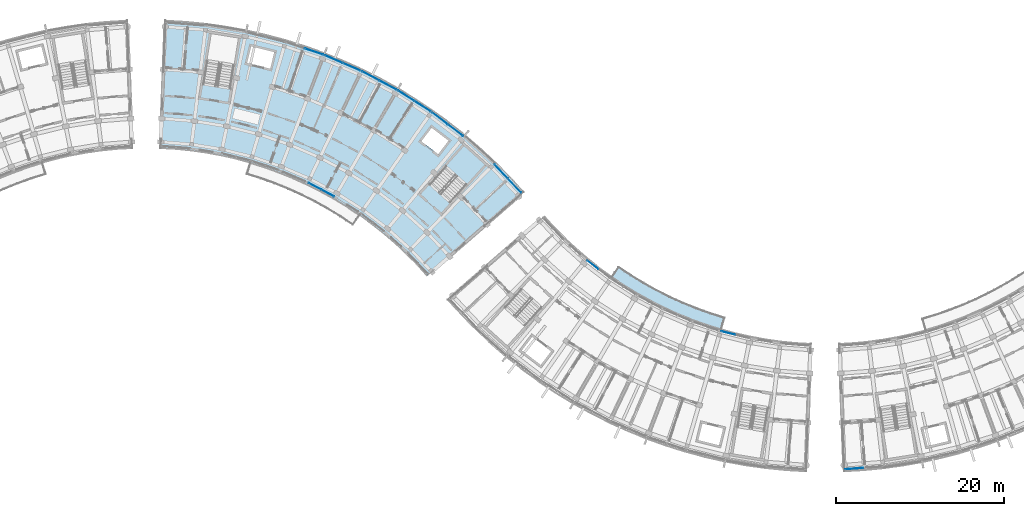
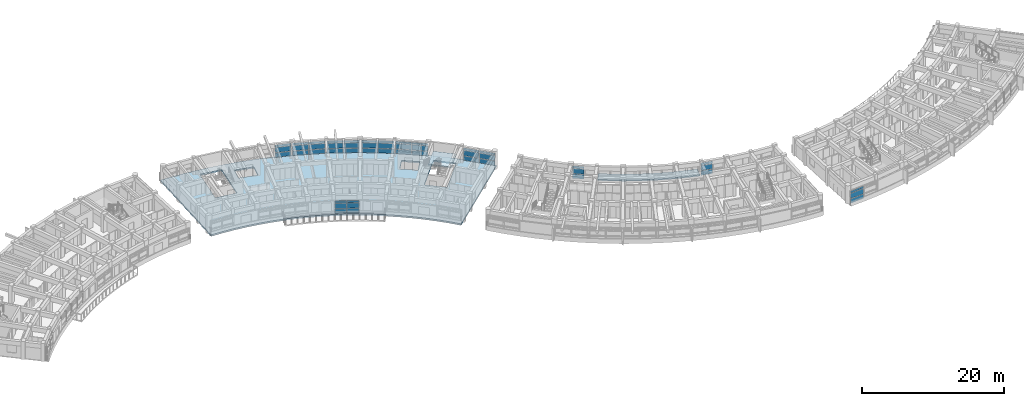
# One storey, part 24 of 56: 48 plates, 3 slabs, 11 elements without a shape of their own.
"""IFC4 building model written with IfcOpenShell, lengths in metres."""

import ifcopenshell
import ifcopenshell.guid

model = None  # the IFC model being written
_history = None  # IfcOwnerHistory: only IFC2X3 demands one
_inside = {}  # id of a spatial element -> (the spatial element, [elements in it])
_under = {}  # id of a project, library or spatial element -> (it, [spatial elements below it])
_declared = {}  # id of a project -> (the project, [libraries it declares])
_typed = {}  # id of a type object -> (the type object, [elements of that type])
_made_of = {}  # id of a material, layer set ... -> (it, [elements and type objects made of it])


def new_model(schema):
    """Start an empty IFC model of exactly this schema.

    Asked for "IFC4X3", IfcOpenShell would pick the latest addendum, in which some entities
    have other attributes; the version numbers below select the first issue.
    IFC2X3 requires an IfcOwnerHistory on every rooted entity: one is made here for all.
    """
    global model, _history
    if schema == "IFC4X3":
        model = ifcopenshell.file(schema_version=(4, 3, 0, 0))
    else:
        model = ifcopenshell.file(schema=schema)
    _inside.clear()
    _under.clear()
    _declared.clear()
    _typed.clear()
    _made_of.clear()
    _history = None
    if model.schema == "IFC2X3":
        org = make("IfcOrganization", Name="unknown")
        user = make(
            "IfcPersonAndOrganization",
            ThePerson=make("IfcPerson", FamilyName="unknown"),
            TheOrganization=org,
        )
        app = make(
            "IfcApplication",
            ApplicationDeveloper=org,
            Version="unknown",
            ApplicationFullName="unknown",
            ApplicationIdentifier="unknown",
        )
        _history = make(
            "IfcOwnerHistory",
            OwningUser=user,
            OwningApplication=app,
            ChangeAction="ADDED",
            CreationDate=0,
        )
    return model


def make(cls, **values):
    """One entity of the class cls with the attributes given. An attribute that is None is left unset."""
    return model.create_entity(
        cls, **{name: value for name, value in values.items() if value is not None}
    )


def rooted(cls, **values):
    """An entity with a GlobalId (a new one), such as an element, a storey or a relation."""
    return make(cls, GlobalId=ifcopenshell.guid.new(), OwnerHistory=_history, **values)


def si_unit(unit_type, name, prefix=None):
    """IfcSIUnit, for example si_unit("LENGTHUNIT", "METRE", prefix="MILLI")."""
    return make("IfcSIUnit", UnitType=unit_type, Prefix=prefix, Name=name)


def assignment(units):
    """IfcUnitAssignment: the units of a project."""
    return None if units is None else make("IfcUnitAssignment", Units=units)


def point(xyz):
    """IfcCartesianPoint."""
    return None if xyz is None else make("IfcCartesianPoint", Coordinates=xyz)


def direction(xyz):
    """IfcDirection."""
    return None if xyz is None else make("IfcDirection", DirectionRatios=xyz)


def frame(location, z_axis=None, x_axis=None):
    """IfcAxis2Placement3D, a coordinate frame: its origin and axes. An axis left out is left unset."""
    return make(
        "IfcAxis2Placement3D",
        Location=point(location),
        Axis=direction(z_axis),
        RefDirection=direction(x_axis),
    )


def frame_2d(location, x_axis=None):
    """IfcAxis2Placement2D, a coordinate frame in the plane: its origin and x axis."""
    return make(
        "IfcAxis2Placement2D", Location=point(location), RefDirection=direction(x_axis)
    )


def origin():
    """The frame at (0, 0, 0) with its axes left unset."""
    return frame((0.0, 0.0, 0.0))


def origin_2d():
    """The frame at (0, 0) in the plane with its x axis left unset."""
    return frame_2d((0.0, 0.0))


def place(relative_to, where):
    """IfcLocalPlacement: puts the frame where relative to a parent placement (None: the world)."""
    return make(
        "IfcLocalPlacement", PlacementRelTo=relative_to, RelativePlacement=where
    )


def context(
    kind, dimensions, precision=None, world=None, true_north=None, identifier=None
):
    """IfcGeometricRepresentationContext, for example the 3D "Model" context."""
    return make(
        "IfcGeometricRepresentationContext",
        ContextIdentifier=identifier,
        ContextType=kind,
        CoordinateSpaceDimension=dimensions,
        Precision=precision,
        WorldCoordinateSystem=world,
        TrueNorth=true_north,
    )


def subcontext(parent, identifier, kind, view, scale=None):
    """IfcGeometricRepresentationSubContext, for example "Body" below "Model"."""
    return make(
        "IfcGeometricRepresentationSubContext",
        ContextIdentifier=identifier,
        ContextType=kind,
        ParentContext=parent,
        TargetScale=scale,
        TargetView=view,
    )


def project(units=None, contexts=None):
    """IfcProject with its units and contexts."""
    return rooted(
        "IfcProject",
        Name="project",
        RepresentationContexts=contexts,
        UnitsInContext=assignment(units),
    )


def spatial(cls, under=None, at=None, **own):
    """A site, building, storey or space (cls), placed at a placement, below another one or the project."""
    s = rooted(cls, ObjectPlacement=at, **own)
    if under is not None:
        _under.setdefault(under.id(), (under, []))[1].append(s)
    return s


def polyline(points):
    """IfcPolyline through the points."""
    return make("IfcPolyline", Points=[point(p) for p in points])


def profile(cls, at=None, kind="AREA", **sizes):
    """A parametric profile (cls). Its sizes go by their IFC names, for example OverallWidth=200.0."""
    return make(cls, ProfileType=kind, Position=at, **sizes)


def rectangle(**sizes):
    """IfcRectangleProfileDef."""
    return profile("IfcRectangleProfileDef", **sizes)


def outline(outer, holes=None, kind="AREA"):
    """IfcArbitraryClosedProfileDef: a profile drawn as a closed curve; with holes, ...WithVoids."""
    if holes is None:
        return make("IfcArbitraryClosedProfileDef", ProfileType=kind, OuterCurve=outer)
    return make(
        "IfcArbitraryProfileDefWithVoids",
        ProfileType=kind,
        OuterCurve=outer,
        InnerCurves=holes,
    )


def extrude(swept, where, along, depth):
    """IfcExtrudedAreaSolid: the profile swept, set in the frame where, extruded along a direction by depth."""
    return make(
        "IfcExtrudedAreaSolid",
        SweptArea=swept,
        Position=where,
        ExtrudedDirection=direction(along),
        Depth=depth,
    )


def shape(context_of_items, identifier, shape_type, items):
    """IfcShapeRepresentation: the items that make up one representation, for example the "Body"."""
    return make(
        "IfcShapeRepresentation",
        ContextOfItems=context_of_items,
        RepresentationIdentifier=identifier,
        RepresentationType=shape_type,
        Items=items,
    )


def material(Name=None, Category=None):
    """IfcMaterial."""
    return make("IfcMaterial", Name=Name, Category=Category)


def layer(
    of_material, thickness, ventilated=None, Name=None, Category=None, Priority=None
):
    """IfcMaterialLayer: one layer of a wall or slab, of a material (None: an air gap)."""
    return make(
        "IfcMaterialLayer",
        Material=of_material,
        LayerThickness=thickness,
        IsVentilated=ventilated,
        Name=Name,
        Category=Category,
        Priority=Priority,
    )


def layer_set(layers, Name=None):
    """IfcMaterialLayerSet."""
    return make("IfcMaterialLayerSet", MaterialLayers=layers, LayerSetName=Name)


def made_of(thing, what):
    """Note that an element or type object is made of a material, layer set ...; save() writes the relation."""
    if what is not None:
        _made_of.setdefault(what.id(), (what, []))[1].append(thing)
    return thing


def type_object(cls, material=None, **own):
    """A type object (cls), such as IfcWallType, which elements share."""
    return made_of(rooted(cls, **own), material)


def element(
    cls,
    number,
    at=None,
    inside=None,
    cuts=None,
    type_object=None,
    material=None,
    context=None,
    identifier="Body",
    shape_type=None,
    held_by="IfcProductDefinitionShape",
    body=None,
    shapes=None,
    **own,
):
    """One element of the class cls, such as IfcWall. Its Tag is "e" and its number.

    at: its placement. inside: the storey or other place that contains it. cuts: it is an
    opening in that element (IfcRelVoidsElement). A single representation is given by context,
    identifier, shape_type and body (its items); several are given by shapes. held_by: the class
    of the entity that holds the representations. save() writes the other relations.
    """
    e = rooted(cls, Tag="e%d" % number, ObjectPlacement=at, **own)
    if body is not None:
        shapes = [shape(context, identifier, shape_type, body)]
    if shapes is not None:
        e.Representation = make(held_by, Representations=shapes)
    if inside is not None:
        _inside.setdefault(inside.id(), (inside, []))[1].append(e)
    if cuts is not None:
        rooted(
            "IfcRelVoidsElement", RelatingBuildingElement=cuts, RelatedOpeningElement=e
        )
    if type_object is not None:
        _typed.setdefault(type_object.id(), (type_object, []))[1].append(e)
    return made_of(e, material)


def aggregate(whole, parts):
    """IfcRelAggregates: a whole, such as a stair, and the parts it consists of."""
    return rooted("IfcRelAggregates", RelatingObject=whole, RelatedObjects=parts)


def save(model, path):
    """Write the relations noted so far, then the file.

    IfcRelAggregates (storeys below a building ...), IfcRelContainedInSpatialStructure (elements
    in a storey), IfcRelDefinesByType, IfcRelAssociatesMaterial and IfcRelDeclares: one each for
    every whole, place, type object, material and project.
    """
    for whole, parts in _under.values():
        aggregate(whole, parts)
    for where, things in _inside.values():
        rooted(
            "IfcRelContainedInSpatialStructure",
            RelatedElements=things,
            RelatingStructure=where,
        )
    for kind, things in _typed.values():
        rooted("IfcRelDefinesByType", RelatedObjects=things, RelatingType=kind)
    for what, things in _made_of.values():
        rooted("IfcRelAssociatesMaterial", RelatedObjects=things, RelatingMaterial=what)
    for by, libraries in _declared.values():
        rooted("IfcRelDeclares", RelatingContext=by, RelatedDefinitions=libraries)
    model.write(path)


model = new_model("IFC4")

# Units and contexts
model_context = context("Model", 3, precision=1e-05, world=origin(), true_north=direction((0.0, 1.0)))
body_context = subcontext(model_context, "Body", "Model", "MODEL_VIEW")
ifc_project = project(units=[si_unit("LENGTHUNIT", "METRE"), si_unit("AREAUNIT", "SQUARE_METRE"), si_unit("VOLUMEUNIT", "CUBIC_METRE"), si_unit("PLANEANGLEUNIT", "RADIAN"), si_unit("MASSUNIT", "GRAM", prefix="KILO")], contexts=[model_context])

# Site, building, storey
site_placement = place(None, origin())
site = spatial("IfcSite", under=ifc_project, at=site_placement, CompositionType="ELEMENT")
building_placement = place(site_placement, origin())
building = spatial("IfcBuilding", under=site, at=building_placement, Name="Zimvara Arc Housing Community", CompositionType="ELEMENT")
storey_placement = place(building_placement, frame((0.0, 0.0, 11.199951171875)))
storey = spatial("IfcBuildingStorey", under=building, at=storey_placement, Name="L03", CompositionType="ELEMENT", Elevation=11.199951171875)

# Curtain wall, plates
ifc_material_1 = material(Name="Anodised Aluminium AW-6063", Category="aluminium")
curtain_wall_type_1 = type_object("IfcCurtainWallType", Name="CW-SYS-08", PredefinedType="USERDEFINED", material=ifc_material_1)
curtain_wall_1_placement = place(storey_placement, origin())
curtain_wall_1 = element("IfcCurtainWall", 1, at=curtain_wall_1_placement, inside=storey, type_object=curtain_wall_type_1, Name="cw:blkB:L03:out:b6", ObjectType="CURTAIN WALL", PredefinedType="USERDEFINED")
ifc_material_2 = material(Name="Pale-Gold Anodised Aluminium Spandrel Panel", Category="aluminium")
ifc_layer_1 = layer(ifc_material_2, 0.035888671875)
ifc_layer_set_1 = layer_set([ifc_layer_1], Name="Pale-Gold Anodised Aluminium Spandrel Panel")
plate_type_1 = type_object("IfcPlateType", Name="CWP-GLD-36", PredefinedType="CURTAIN_PANEL", material=ifc_layer_set_1)
plate_1_placement = place(storey_placement, frame((76.0009765625, 95.1005859375, 0.065185546875), z_axis=(0.0, 0.0, 1.0), x_axis=(0.842264410931, -0.539064617721, 0.0)))
plate_1 = element("IfcPlate", 2, at=plate_1_placement, type_object=plate_type_1, Name="CW08 panel 1.1", PredefinedType="CURTAIN_PANEL", context=body_context, shape_type="SweptSolid", body=[
    extrude(rectangle(XDim=2.266845703125, YDim=0.035888671875, at=origin_2d()), origin(), (0.0, 0.0, 1.0), 0.75244140625),
])
plate_2_placement = place(storey_placement, frame((76.0009765625, 95.1005859375, 0.88232421875), z_axis=(0.0, 0.0, 1.0), x_axis=(0.842264410931, -0.539064617721, 0.0)))
plate_2 = element("IfcPlate", 3, at=plate_2_placement, type_object=plate_type_1, Name="CW08 panel 1.2", PredefinedType="CURTAIN_PANEL", context=body_context, shape_type="SweptSolid", body=[
    extrude(rectangle(XDim=2.266845703125, YDim=0.035888671875, at=origin_2d()), origin(), (0.0, 0.0, 1.0), 0.885009765625),
])
plate_3_placement = place(storey_placement, frame((76.0009765625, 95.1005859375, 1.83251953125), z_axis=(0.0, 0.0, 1.0), x_axis=(0.842264410931, -0.539064617721, 0.0)))
plate_3 = element("IfcPlate", 4, at=plate_3_placement, type_object=plate_type_1, Name="CW08 panel 1.3", PredefinedType="CURTAIN_PANEL", context=body_context, shape_type="SweptSolid", body=[
    extrude(rectangle(XDim=2.266845703125, YDim=0.035888671875, at=origin_2d()), origin(), (0.0, 0.0, 1.0), 0.3525390625),
])
plate_4_placement = place(storey_placement, frame((77.965087890625, 93.843505859375, 0.065185546875), z_axis=(0.0, 0.0, 1.0), x_axis=(0.842264410931, -0.539064617721, 0.0)))
plate_4 = element("IfcPlate", 5, at=plate_4_placement, type_object=plate_type_1, Name="CW08 panel 2.1", PredefinedType="CURTAIN_PANEL", context=body_context, shape_type="SweptSolid", body=[
    extrude(rectangle(XDim=2.266845703125, YDim=0.035888671875, at=origin_2d()), origin(), (0.0, 0.0, 1.0), 0.75244140625),
])
plate_5_placement = place(storey_placement, frame((77.965087890625, 93.843505859375, 0.88232421875), z_axis=(0.0, 0.0, 1.0), x_axis=(0.842264410931, -0.539064617721, 0.0)))
plate_5 = element("IfcPlate", 6, at=plate_5_placement, type_object=plate_type_1, Name="CW08 panel 2.2", PredefinedType="CURTAIN_PANEL", context=body_context, shape_type="SweptSolid", body=[
    extrude(rectangle(XDim=2.266845703125, YDim=0.035888671875, at=origin_2d()), origin(), (0.0, 0.0, 1.0), 0.885009765625),
])
plate_6_placement = place(storey_placement, frame((77.965087890625, 93.843505859375, 1.83251953125), z_axis=(0.0, 0.0, 1.0), x_axis=(0.842264410931, -0.539064617721, 0.0)))
plate_6 = element("IfcPlate", 7, at=plate_6_placement, type_object=plate_type_1, Name="CW08 panel 2.3", PredefinedType="CURTAIN_PANEL", context=body_context, shape_type="SweptSolid", body=[
    extrude(rectangle(XDim=2.266845703125, YDim=0.035888671875, at=origin_2d()), origin(), (0.0, 0.0, 1.0), 0.3525390625),
])
aggregate(curtain_wall_1, [plate_1, plate_2, plate_3, plate_4, plate_5, plate_6])

ifc_material_3 = material(Name="Anodised Aluminium AW-6063", Category="aluminium")
curtain_wall_type_2 = type_object("IfcCurtainWallType", Name="CW-SYS-05", PredefinedType="USERDEFINED", material=ifc_material_3)
curtain_wall_2_placement = place(storey_placement, origin())
curtain_wall_2 = element("IfcCurtainWall", 8, at=curtain_wall_2_placement, inside=storey, type_object=curtain_wall_type_2, Name="cw:blkB:L03:out:b4", ObjectType="CURTAIN WALL", PredefinedType="USERDEFINED")
ifc_material_4 = material(Name="Solar Control Low-E Double Glazing", Category="glass")
ifc_layer_2 = layer(ifc_material_4, 0.02392578125)
ifc_layer_set_2 = layer_set([ifc_layer_2], Name="Solar Control Low-E Double Glazing")
plate_type_2 = type_object("IfcPlateType", Name="CWP-GLZ-24", PredefinedType="CURTAIN_PANEL", material=ifc_layer_set_2)
plate_7_placement = place(storey_placement, frame((67.358642578125, 99.46875, 0.065185546875), z_axis=(0.0, 0.0, 1.0), x_axis=(0.918722299363, -0.394904211998, 0.0)))
plate_7 = element("IfcPlate", 9, at=plate_7_placement, type_object=plate_type_2, Name="CW05 panel 1.1", PredefinedType="CURTAIN_PANEL", context=body_context, shape_type="SweptSolid", body=[
    extrude(rectangle(XDim=2.266845703125, YDim=0.02392578125, at=origin_2d()), origin(), (0.0, 0.0, 1.0), 0.75244140625),
])
plate_8_placement = place(storey_placement, frame((67.358642578125, 99.46875, 0.88232421875), z_axis=(0.0, 0.0, 1.0), x_axis=(0.918722299363, -0.394904211998, 0.0)))
plate_8 = element("IfcPlate", 10, at=plate_8_placement, type_object=plate_type_2, Name="CW05 panel 1.2", PredefinedType="CURTAIN_PANEL", context=body_context, shape_type="SweptSolid", body=[
    extrude(rectangle(XDim=2.266845703125, YDim=0.02392578125, at=origin_2d()), origin(), (0.0, 0.0, 1.0), 0.885009765625),
])
plate_9_placement = place(storey_placement, frame((67.358642578125, 99.46875, 1.83251953125), z_axis=(0.0, 0.0, 1.0), x_axis=(0.918722299363, -0.394904211998, 0.0)))
plate_9 = element("IfcPlate", 11, at=plate_9_placement, type_object=plate_type_2, Name="CW05 panel 1.3", PredefinedType="CURTAIN_PANEL", context=body_context, shape_type="SweptSolid", body=[
    extrude(rectangle(XDim=2.266845703125, YDim=0.02392578125, at=origin_2d()), origin(), (0.0, 0.0, 1.0), 0.3525390625),
])
plate_10_placement = place(storey_placement, frame((69.5009765625, 98.5478515625, 0.065185546875), z_axis=(0.0, 0.0, 1.0), x_axis=(0.918722299363, -0.394904211998, 0.0)))
plate_10 = element("IfcPlate", 12, at=plate_10_placement, type_object=plate_type_2, Name="CW05 panel 2.1", PredefinedType="CURTAIN_PANEL", context=body_context, shape_type="SweptSolid", body=[
    extrude(rectangle(XDim=2.266845703125, YDim=0.02392578125, at=origin_2d()), origin(), (0.0, 0.0, 1.0), 0.75244140625),
])
plate_11_placement = place(storey_placement, frame((69.5009765625, 98.5478515625, 0.88232421875), z_axis=(0.0, 0.0, 1.0), x_axis=(0.918722299363, -0.394904211998, 0.0)))
plate_11 = element("IfcPlate", 13, at=plate_11_placement, type_object=plate_type_2, Name="CW05 panel 2.2", PredefinedType="CURTAIN_PANEL", context=body_context, shape_type="SweptSolid", body=[
    extrude(rectangle(XDim=2.266845703125, YDim=0.02392578125, at=origin_2d()), origin(), (0.0, 0.0, 1.0), 0.885009765625),
])
plate_12_placement = place(storey_placement, frame((69.5009765625, 98.5478515625, 1.83251953125), z_axis=(0.0, 0.0, 1.0), x_axis=(0.918722299363, -0.394904211998, 0.0)))
plate_12 = element("IfcPlate", 14, at=plate_12_placement, type_object=plate_type_2, Name="CW05 panel 2.3", PredefinedType="CURTAIN_PANEL", context=body_context, shape_type="SweptSolid", body=[
    extrude(rectangle(XDim=2.266845703125, YDim=0.02392578125, at=origin_2d()), origin(), (0.0, 0.0, 1.0), 0.3525390625),
])
aggregate(curtain_wall_2, [plate_7, plate_8, plate_9, plate_10, plate_11, plate_12])

ifc_material_5 = material(Name="Anodised Aluminium AW-6063", Category="aluminium")
curtain_wall_type_3 = type_object("IfcCurtainWallType", Name="CW-SYS-01", PredefinedType="USERDEFINED", material=ifc_material_5)
curtain_wall_3_placement = place(storey_placement, origin())
curtain_wall_3 = element("IfcCurtainWall", 15, at=curtain_wall_3_placement, inside=storey, type_object=curtain_wall_type_3, Name="cw:blkB:L03:out:b7", ObjectType="CURTAIN WALL", PredefinedType="USERDEFINED")
plate_13_placement = place(storey_placement, frame((80.026123046875, 92.40234375, 0.065185546875), z_axis=(0.0, 0.0, 1.0), x_axis=(0.795473999177, -0.60598771987, 0.0)))
plate_13 = element("IfcPlate", 16, at=plate_13_placement, type_object=plate_type_2, Name="CW01 panel 1.1", PredefinedType="CURTAIN_PANEL", context=body_context, shape_type="SweptSolid", body=[
    extrude(rectangle(XDim=2.266845703125, YDim=0.02392578125, at=origin_2d()), origin(), (0.0, 0.0, 1.0), 0.75244140625),
])
plate_14_placement = place(storey_placement, frame((80.026123046875, 92.40234375, 0.88232421875), z_axis=(0.0, 0.0, 1.0), x_axis=(0.795473999177, -0.60598771987, 0.0)))
plate_14 = element("IfcPlate", 17, at=plate_14_placement, type_object=plate_type_2, Name="CW01 panel 1.2", PredefinedType="CURTAIN_PANEL", context=body_context, shape_type="SweptSolid", body=[
    extrude(rectangle(XDim=2.266845703125, YDim=0.02392578125, at=origin_2d()), origin(), (0.0, 0.0, 1.0), 0.885009765625),
])
plate_15_placement = place(storey_placement, frame((80.026123046875, 92.40234375, 1.83251953125), z_axis=(0.0, 0.0, 1.0), x_axis=(0.795473999177, -0.60598771987, 0.0)))
plate_15 = element("IfcPlate", 18, at=plate_15_placement, type_object=plate_type_2, Name="CW01 panel 1.3", PredefinedType="CURTAIN_PANEL", context=body_context, shape_type="SweptSolid", body=[
    extrude(rectangle(XDim=2.266845703125, YDim=0.02392578125, at=origin_2d()), origin(), (0.0, 0.0, 1.0), 0.3525390625),
])
plate_16_placement = place(storey_placement, frame((81.881103515625, 90.9892578125, 0.065185546875), z_axis=(0.0, 0.0, 1.0), x_axis=(0.795473999177, -0.60598771987, 0.0)))
plate_16 = element("IfcPlate", 19, at=plate_16_placement, type_object=plate_type_2, Name="CW01 panel 2.1", PredefinedType="CURTAIN_PANEL", context=body_context, shape_type="SweptSolid", body=[
    extrude(rectangle(XDim=2.266845703125, YDim=0.02392578125, at=origin_2d()), origin(), (0.0, 0.0, 1.0), 0.75244140625),
])
plate_17_placement = place(storey_placement, frame((81.881103515625, 90.9892578125, 0.88232421875), z_axis=(0.0, 0.0, 1.0), x_axis=(0.795473999177, -0.60598771987, 0.0)))
plate_17 = element("IfcPlate", 20, at=plate_17_placement, type_object=plate_type_2, Name="CW01 panel 2.2", PredefinedType="CURTAIN_PANEL", context=body_context, shape_type="SweptSolid", body=[
    extrude(rectangle(XDim=2.266845703125, YDim=0.02392578125, at=origin_2d()), origin(), (0.0, 0.0, 1.0), 0.885009765625),
])
plate_18_placement = place(storey_placement, frame((81.881103515625, 90.9892578125, 1.83251953125), z_axis=(0.0, 0.0, 1.0), x_axis=(0.795473999177, -0.60598771987, 0.0)))
plate_18 = element("IfcPlate", 21, at=plate_18_placement, type_object=plate_type_2, Name="CW01 panel 2.3", PredefinedType="CURTAIN_PANEL", context=body_context, shape_type="SweptSolid", body=[
    extrude(rectangle(XDim=2.266845703125, YDim=0.02392578125, at=origin_2d()), origin(), (0.0, 0.0, 1.0), 0.3525390625),
])
aggregate(curtain_wall_3, [plate_13, plate_14, plate_15, plate_16, plate_17, plate_18])

ifc_material_6 = material(Name="Anodised Aluminium AW-6063", Category="aluminium")
curtain_wall_type_4 = type_object("IfcCurtainWallType", Name="CW-SYS-06", PredefinedType="USERDEFINED", material=ifc_material_6)
curtain_wall_4_placement = place(storey_placement, origin())
curtain_wall_4 = element("IfcCurtainWall", 22, at=curtain_wall_4_placement, inside=storey, type_object=curtain_wall_type_4, Name="cw:blkB:L03:out:b5", ObjectType="CURTAIN WALL", PredefinedType="USERDEFINED")
ifc_material_7 = material(Name="Solar Control Low-E Double Glazing", Category="glass")
ifc_layer_3 = layer(ifc_material_7, 0.028076171875)
ifc_layer_set_3 = layer_set([ifc_layer_3], Name="Solar Control Low-E Double Glazing")
plate_type_3 = type_object("IfcPlateType", Name="CWP-GLZ-28", PredefinedType="CURTAIN_PANEL", material=ifc_layer_set_3)
plate_19_placement = place(storey_placement, frame((71.76904296875, 97.461181640625, 0.065185546875), z_axis=(0.0, 0.0, 1.0), x_axis=(0.883438614651, -0.468546917761, 0.0)))
plate_19 = element("IfcPlate", 23, at=plate_19_placement, type_object=plate_type_3, Name="CW06 panel 1.1", PredefinedType="CURTAIN_PANEL", context=body_context, shape_type="SweptSolid", body=[
    extrude(rectangle(XDim=2.266845703125, YDim=0.028076171875, at=origin_2d()), origin(), (0.0, 0.0, 1.0), 0.75244140625),
])
plate_20_placement = place(storey_placement, frame((71.76904296875, 97.461181640625, 0.88232421875), z_axis=(0.0, 0.0, 1.0), x_axis=(0.883438614651, -0.468546917761, 0.0)))
plate_20 = element("IfcPlate", 24, at=plate_20_placement, type_object=plate_type_3, Name="CW06 panel 1.2", PredefinedType="CURTAIN_PANEL", context=body_context, shape_type="SweptSolid", body=[
    extrude(rectangle(XDim=2.266845703125, YDim=0.028076171875, at=origin_2d()), origin(), (0.0, 0.0, 1.0), 0.885009765625),
])
plate_21_placement = place(storey_placement, frame((71.76904296875, 97.461181640625, 1.83251953125), z_axis=(0.0, 0.0, 1.0), x_axis=(0.883438614651, -0.468546917761, 0.0)))
plate_21 = element("IfcPlate", 25, at=plate_21_placement, type_object=plate_type_3, Name="CW06 panel 1.3", PredefinedType="CURTAIN_PANEL", context=body_context, shape_type="SweptSolid", body=[
    extrude(rectangle(XDim=2.266845703125, YDim=0.028076171875, at=origin_2d()), origin(), (0.0, 0.0, 1.0), 0.3525390625),
])
plate_22_placement = place(storey_placement, frame((73.8291015625, 96.36865234375, 0.065185546875), z_axis=(0.0, 0.0, 1.0), x_axis=(0.883438614651, -0.468546917761, 0.0)))
plate_22 = element("IfcPlate", 26, at=plate_22_placement, type_object=plate_type_3, Name="CW06 panel 2.1", PredefinedType="CURTAIN_PANEL", context=body_context, shape_type="SweptSolid", body=[
    extrude(rectangle(XDim=2.266845703125, YDim=0.028076171875, at=origin_2d()), origin(), (0.0, 0.0, 1.0), 0.75244140625),
])
plate_23_placement = place(storey_placement, frame((73.8291015625, 96.36865234375, 0.88232421875), z_axis=(0.0, 0.0, 1.0), x_axis=(0.883438614651, -0.468546917761, 0.0)))
plate_23 = element("IfcPlate", 27, at=plate_23_placement, type_object=plate_type_3, Name="CW06 panel 2.2", PredefinedType="CURTAIN_PANEL", context=body_context, shape_type="SweptSolid", body=[
    extrude(rectangle(XDim=2.266845703125, YDim=0.028076171875, at=origin_2d()), origin(), (0.0, 0.0, 1.0), 0.885009765625),
])
plate_24_placement = place(storey_placement, frame((73.8291015625, 96.36865234375, 1.83251953125), z_axis=(0.0, 0.0, 1.0), x_axis=(0.883438614651, -0.468546917761, 0.0)))
plate_24 = element("IfcPlate", 28, at=plate_24_placement, type_object=plate_type_3, Name="CW06 panel 2.3", PredefinedType="CURTAIN_PANEL", context=body_context, shape_type="SweptSolid", body=[
    extrude(rectangle(XDim=2.266845703125, YDim=0.028076171875, at=origin_2d()), origin(), (0.0, 0.0, 1.0), 0.3525390625),
])
aggregate(curtain_wall_4, [plate_19, plate_20, plate_21, plate_22, plate_23, plate_24])

curtain_wall_5_placement = place(storey_placement, origin())
curtain_wall_5 = element("IfcCurtainWall", 29, at=curtain_wall_5_placement, inside=storey, type_object=curtain_wall_type_4, Name="cw:blkC:L03:in:b2", ObjectType="CURTAIN WALL", PredefinedType="USERDEFINED")
plate_25_placement = place(storey_placement, frame((98.275634765625, 74.91943359375, 0.065185546875), z_axis=(0.0, 0.0, 1.0), x_axis=(0.795473543119, -0.605988318533, 0.0)))
plate_25 = element("IfcPlate", 30, at=plate_25_placement, type_object=plate_type_3, Name="CW06 panel 1.1", PredefinedType="CURTAIN_PANEL", context=body_context, shape_type="SweptSolid", body=[
    extrude(rectangle(XDim=1.664306640625, YDim=0.028076171875, at=origin_2d()), origin(), (0.0, 0.0, 1.0), 0.75244140625),
])
plate_26_placement = place(storey_placement, frame((98.275634765625, 74.91943359375, 0.88232421875), z_axis=(0.0, 0.0, 1.0), x_axis=(0.795473543119, -0.605988318533, 0.0)))
plate_26 = element("IfcPlate", 31, at=plate_26_placement, type_object=plate_type_3, Name="CW06 panel 1.2", PredefinedType="CURTAIN_PANEL", context=body_context, shape_type="SweptSolid", body=[
    extrude(rectangle(XDim=1.664306640625, YDim=0.028076171875, at=origin_2d()), origin(), (0.0, 0.0, 1.0), 0.885009765625),
])
plate_27_placement = place(storey_placement, frame((98.275634765625, 74.91943359375, 1.83251953125), z_axis=(0.0, 0.0, 1.0), x_axis=(0.795473543119, -0.605988318533, 0.0)))
plate_27 = element("IfcPlate", 32, at=plate_27_placement, type_object=plate_type_3, Name="CW06 panel 1.3", PredefinedType="CURTAIN_PANEL", context=body_context, shape_type="SweptSolid", body=[
    extrude(rectangle(XDim=1.664306640625, YDim=0.028076171875, at=origin_2d()), origin(), (0.0, 0.0, 1.0), 0.3525390625),
])
aggregate(curtain_wall_5, [plate_25, plate_26, plate_27])

curtain_wall_6_placement = place(storey_placement, origin())
curtain_wall_6 = element("IfcCurtainWall", 33, at=curtain_wall_6_placement, inside=storey, type_object=curtain_wall_type_4, Name="cw:blkC:L03:in:b7", ObjectType="CURTAIN WALL", PredefinedType="USERDEFINED")
plate_28_placement = place(storey_placement, frame((114.4306640625, 66.79052734375, 0.065185546875), z_axis=(0.0, 0.0, 1.0), x_axis=(0.970716537698, -0.240227815706, 0.0)))
plate_28 = element("IfcPlate", 34, at=plate_28_placement, type_object=plate_type_3, Name="CW06 panel 1.1", PredefinedType="CURTAIN_PANEL", context=body_context, shape_type="SweptSolid", body=[
    extrude(rectangle(XDim=1.664306640625, YDim=0.028076171875, at=origin_2d()), origin(), (0.0, 0.0, 1.0), 0.75244140625),
])
plate_29_placement = place(storey_placement, frame((114.4306640625, 66.79052734375, 0.88232421875), z_axis=(0.0, 0.0, 1.0), x_axis=(0.970716537698, -0.240227815706, 0.0)))
plate_29 = element("IfcPlate", 35, at=plate_29_placement, type_object=plate_type_3, Name="CW06 panel 1.2", PredefinedType="CURTAIN_PANEL", context=body_context, shape_type="SweptSolid", body=[
    extrude(rectangle(XDim=1.664306640625, YDim=0.028076171875, at=origin_2d()), origin(), (0.0, 0.0, 1.0), 0.885009765625),
])
plate_30_placement = place(storey_placement, frame((114.4306640625, 66.79052734375, 1.83251953125), z_axis=(0.0, 0.0, 1.0), x_axis=(0.970716537698, -0.240227815706, 0.0)))
plate_30 = element("IfcPlate", 36, at=plate_30_placement, type_object=plate_type_3, Name="CW06 panel 1.3", PredefinedType="CURTAIN_PANEL", context=body_context, shape_type="SweptSolid", body=[
    extrude(rectangle(XDim=1.664306640625, YDim=0.028076171875, at=origin_2d()), origin(), (0.0, 0.0, 1.0), 0.3525390625),
])
aggregate(curtain_wall_6, [plate_28, plate_29, plate_30])

ifc_material_8 = material(Name="Anodised Aluminium AW-6063", Category="aluminium")
curtain_wall_type_5 = type_object("IfcCurtainWallType", Name="CW-SYS-03", PredefinedType="USERDEFINED", material=ifc_material_8)
curtain_wall_7_placement = place(storey_placement, origin())
curtain_wall_7 = element("IfcCurtainWall", 37, at=curtain_wall_7_placement, inside=storey, type_object=curtain_wall_type_5, Name="cw:blkB:L03:out:b3", ObjectType="CURTAIN WALL", PredefinedType="USERDEFINED")
ifc_material_9 = material(Name="Acoustic Laminated Solar Glazing", Category="glass")
ifc_layer_4 = layer(ifc_material_9, 0.031982421875)
ifc_layer_set_4 = layer_set([ifc_layer_4], Name="Acoustic Laminated Solar Glazing")
plate_type_4 = type_object("IfcPlateType", Name="CWP-GLZ-32", PredefinedType="CURTAIN_PANEL", material=ifc_layer_set_4)
plate_31_placement = place(storey_placement, frame((65.009521484375, 100.36669921875, 0.065185546875), z_axis=(0.0, 0.0, 1.0), x_axis=(0.947879647164, -0.318628583921, 0.0)))
plate_31 = element("IfcPlate", 38, at=plate_31_placement, type_object=plate_type_4, Name="CW03 panel 2.1", PredefinedType="CURTAIN_PANEL", context=body_context, shape_type="SweptSolid", body=[
    extrude(rectangle(XDim=2.266845703125, YDim=0.031982421875, at=origin_2d()), origin(), (0.0, 0.0, 1.0), 0.75244140625),
])
plate_32_placement = place(storey_placement, frame((65.009521484375, 100.36669921875, 0.88232421875), z_axis=(0.0, 0.0, 1.0), x_axis=(0.947879647164, -0.318628583921, 0.0)))
plate_32 = element("IfcPlate", 39, at=plate_32_placement, type_object=plate_type_4, Name="CW03 panel 2.2", PredefinedType="CURTAIN_PANEL", context=body_context, shape_type="SweptSolid", body=[
    extrude(rectangle(XDim=2.266845703125, YDim=0.031982421875, at=origin_2d()), origin(), (0.0, 0.0, 1.0), 0.885009765625),
])
plate_33_placement = place(storey_placement, frame((65.009521484375, 100.36669921875, 1.83251953125), z_axis=(0.0, 0.0, 1.0), x_axis=(0.947879647164, -0.318628583921, 0.0)))
plate_33 = element("IfcPlate", 40, at=plate_33_placement, type_object=plate_type_4, Name="CW03 panel 2.3", PredefinedType="CURTAIN_PANEL", context=body_context, shape_type="SweptSolid", body=[
    extrude(rectangle(XDim=2.266845703125, YDim=0.031982421875, at=origin_2d()), origin(), (0.0, 0.0, 1.0), 0.3525390625),
])
aggregate(curtain_wall_7, [plate_31, plate_32, plate_33])

ifc_material_10 = material(Name="Anodised Aluminium AW-6063", Category="aluminium")
curtain_wall_type_6 = type_object("IfcCurtainWallType", Name="CW-SYS-07", PredefinedType="USERDEFINED", material=ifc_material_10)
curtain_wall_8_placement = place(storey_placement, origin())
curtain_wall_8 = element("IfcCurtainWall", 41, at=curtain_wall_8_placement, inside=storey, type_object=curtain_wall_type_6, Name="cw:blkB:L03:in:b5", ObjectType="CURTAIN WALL", PredefinedType="USERDEFINED")
plate_34_placement = place(storey_placement, frame((65.125244140625, 84.291259765625, 0.065185546875), z_axis=(0.0, 0.0, 1.0), x_axis=(0.88343981815, -0.468544648573, 0.0)))
plate_34 = element("IfcPlate", 42, at=plate_34_placement, type_object=plate_type_4, Name="CW07 panel 1.1", PredefinedType="CURTAIN_PANEL", context=body_context, shape_type="SweptSolid", body=[
    extrude(rectangle(XDim=1.664306640625, YDim=0.031982421875, at=origin_2d()), origin(), (0.0, 0.0, 1.0), 0.75244140625),
])
plate_35_placement = place(storey_placement, frame((65.125244140625, 84.291259765625, 0.88232421875), z_axis=(0.0, 0.0, 1.0), x_axis=(0.88343981815, -0.468544648573, 0.0)))
plate_35 = element("IfcPlate", 43, at=plate_35_placement, type_object=plate_type_4, Name="CW07 panel 1.2", PredefinedType="CURTAIN_PANEL", context=body_context, shape_type="SweptSolid", body=[
    extrude(rectangle(XDim=1.664306640625, YDim=0.031982421875, at=origin_2d()), origin(), (0.0, 0.0, 1.0), 0.885009765625),
])
plate_36_placement = place(storey_placement, frame((65.125244140625, 84.291259765625, 1.83251953125), z_axis=(0.0, 0.0, 1.0), x_axis=(0.88343981815, -0.468544648573, 0.0)))
plate_36 = element("IfcPlate", 44, at=plate_36_placement, type_object=plate_type_4, Name="CW07 panel 1.3", PredefinedType="CURTAIN_PANEL", context=body_context, shape_type="SweptSolid", body=[
    extrude(rectangle(XDim=1.664306640625, YDim=0.031982421875, at=origin_2d()), origin(), (0.0, 0.0, 1.0), 0.3525390625),
])
plate_37_placement = place(storey_placement, frame((66.653076171875, 83.48095703125, 0.065185546875), z_axis=(0.0, 0.0, 1.0), x_axis=(0.88343981815, -0.468544648573, 0.0)))
plate_37 = element("IfcPlate", 45, at=plate_37_placement, type_object=plate_type_4, Name="CW07 panel 2.1", PredefinedType="CURTAIN_PANEL", context=body_context, shape_type="SweptSolid", body=[
    extrude(rectangle(XDim=1.664306640625, YDim=0.031982421875, at=origin_2d()), origin(), (0.0, 0.0, 1.0), 0.75244140625),
])
plate_38_placement = place(storey_placement, frame((66.653076171875, 83.48095703125, 0.88232421875), z_axis=(0.0, 0.0, 1.0), x_axis=(0.88343981815, -0.468544648573, 0.0)))
plate_38 = element("IfcPlate", 46, at=plate_38_placement, type_object=plate_type_4, Name="CW07 panel 2.2", PredefinedType="CURTAIN_PANEL", context=body_context, shape_type="SweptSolid", body=[
    extrude(rectangle(XDim=1.664306640625, YDim=0.031982421875, at=origin_2d()), origin(), (0.0, 0.0, 1.0), 0.885009765625),
])
plate_39_placement = place(storey_placement, frame((66.653076171875, 83.48095703125, 1.83251953125), z_axis=(0.0, 0.0, 1.0), x_axis=(0.88343981815, -0.468544648573, 0.0)))
plate_39 = element("IfcPlate", 47, at=plate_39_placement, type_object=plate_type_4, Name="CW07 panel 2.3", PredefinedType="CURTAIN_PANEL", context=body_context, shape_type="SweptSolid", body=[
    extrude(rectangle(XDim=1.664306640625, YDim=0.031982421875, at=origin_2d()), origin(), (0.0, 0.0, 1.0), 0.3525390625),
])
aggregate(curtain_wall_8, [plate_34, plate_35, plate_36, plate_37, plate_38, plate_39])

curtain_wall_9_placement = place(storey_placement, origin())
curtain_wall_9 = element("IfcCurtainWall", 48, at=curtain_wall_9_placement, inside=storey, type_object=curtain_wall_type_5, Name="cw:blkB:L03:out:b9", ObjectType="CURTAIN WALL", PredefinedType="USERDEFINED")
plate_40_placement = place(storey_placement, frame((87.350341796875, 86.068115234375, 0.065185546875), z_axis=(0.0, 0.0, 1.0), x_axis=(0.686326416495, -0.727293647725, 0.0)))
plate_40 = element("IfcPlate", 49, at=plate_40_placement, type_object=plate_type_4, Name="CW03 panel 1.1", PredefinedType="CURTAIN_PANEL", context=body_context, shape_type="SweptSolid", body=[
    extrude(rectangle(XDim=2.266845703125, YDim=0.031982421875, at=origin_2d()), origin(), (0.0, 0.0, 1.0), 0.75244140625),
])
plate_41_placement = place(storey_placement, frame((87.350341796875, 86.068115234375, 0.88232421875), z_axis=(0.0, 0.0, 1.0), x_axis=(0.686326416495, -0.727293647725, 0.0)))
plate_41 = element("IfcPlate", 50, at=plate_41_placement, type_object=plate_type_4, Name="CW03 panel 1.2", PredefinedType="CURTAIN_PANEL", context=body_context, shape_type="SweptSolid", body=[
    extrude(rectangle(XDim=2.266845703125, YDim=0.031982421875, at=origin_2d()), origin(), (0.0, 0.0, 1.0), 0.885009765625),
])
plate_42_placement = place(storey_placement, frame((87.350341796875, 86.068115234375, 1.83251953125), z_axis=(0.0, 0.0, 1.0), x_axis=(0.686326416495, -0.727293647725, 0.0)))
plate_42 = element("IfcPlate", 51, at=plate_42_placement, type_object=plate_type_4, Name="CW03 panel 1.3", PredefinedType="CURTAIN_PANEL", context=body_context, shape_type="SweptSolid", body=[
    extrude(rectangle(XDim=2.266845703125, YDim=0.031982421875, at=origin_2d()), origin(), (0.0, 0.0, 1.0), 0.3525390625),
])
plate_43_placement = place(storey_placement, frame((88.950927734375, 84.3720703125, 0.065185546875), z_axis=(0.0, 0.0, 1.0), x_axis=(0.686326416495, -0.727293647725, 0.0)))
plate_43 = element("IfcPlate", 52, at=plate_43_placement, type_object=plate_type_4, Name="CW03 panel 2.1", PredefinedType="CURTAIN_PANEL", context=body_context, shape_type="SweptSolid", body=[
    extrude(rectangle(XDim=2.266845703125, YDim=0.031982421875, at=origin_2d()), origin(), (0.0, 0.0, 1.0), 0.75244140625),
])
plate_44_placement = place(storey_placement, frame((88.950927734375, 84.3720703125, 0.88232421875), z_axis=(0.0, 0.0, 1.0), x_axis=(0.686326416495, -0.727293647725, 0.0)))
plate_44 = element("IfcPlate", 53, at=plate_44_placement, type_object=plate_type_4, Name="CW03 panel 2.2", PredefinedType="CURTAIN_PANEL", context=body_context, shape_type="SweptSolid", body=[
    extrude(rectangle(XDim=2.266845703125, YDim=0.031982421875, at=origin_2d()), origin(), (0.0, 0.0, 1.0), 0.885009765625),
])
plate_45_placement = place(storey_placement, frame((88.950927734375, 84.3720703125, 1.83251953125), z_axis=(0.0, 0.0, 1.0), x_axis=(0.686326416495, -0.727293647725, 0.0)))
plate_45 = element("IfcPlate", 54, at=plate_45_placement, type_object=plate_type_4, Name="CW03 panel 2.3", PredefinedType="CURTAIN_PANEL", context=body_context, shape_type="SweptSolid", body=[
    extrude(rectangle(XDim=2.266845703125, YDim=0.031982421875, at=origin_2d()), origin(), (0.0, 0.0, 1.0), 0.3525390625),
])
aggregate(curtain_wall_9, [plate_40, plate_41, plate_42, plate_43, plate_44, plate_45])

curtain_wall_10_placement = place(storey_placement, origin())
curtain_wall_10 = element("IfcCurtainWall", 55, at=curtain_wall_10_placement, inside=storey, type_object=curtain_wall_type_5, Name="cw:blkD:L03:out:b0", ObjectType="CURTAIN WALL", PredefinedType="USERDEFINED")
plate_46_placement = place(storey_placement, frame((129.4677734375, 50.61767578125, 0.065185546875), z_axis=(0.0, 0.0, 1.0), x_axis=(0.996985387849, 0.077589538059, 0.0)))
plate_46 = element("IfcPlate", 56, at=plate_46_placement, type_object=plate_type_4, Name="CW03 panel 1.1", PredefinedType="CURTAIN_PANEL", context=body_context, shape_type="SweptSolid", body=[
    extrude(rectangle(XDim=2.173828125, YDim=0.031982421875, at=origin_2d()), origin(), (0.0, 0.0, 1.0), 0.75244140625),
])
plate_47_placement = place(storey_placement, frame((129.4677734375, 50.61767578125, 0.88232421875), z_axis=(0.0, 0.0, 1.0), x_axis=(0.996985387849, 0.077589538059, 0.0)))
plate_47 = element("IfcPlate", 57, at=plate_47_placement, type_object=plate_type_4, Name="CW03 panel 1.2", PredefinedType="CURTAIN_PANEL", context=body_context, shape_type="SweptSolid", body=[
    extrude(rectangle(XDim=2.173828125, YDim=0.031982421875, at=origin_2d()), origin(), (0.0, 0.0, 1.0), 0.885009765625),
])
plate_48_placement = place(storey_placement, frame((129.4677734375, 50.61767578125, 1.83251953125), z_axis=(0.0, 0.0, 1.0), x_axis=(0.996985387849, 0.077589538059, 0.0)))
plate_48 = element("IfcPlate", 58, at=plate_48_placement, type_object=plate_type_4, Name="CW03 panel 1.3", PredefinedType="CURTAIN_PANEL", context=body_context, shape_type="SweptSolid", body=[
    extrude(rectangle(XDim=2.173828125, YDim=0.031982421875, at=origin_2d()), origin(), (0.0, 0.0, 1.0), 0.3525390625),
])
aggregate(curtain_wall_10, [plate_46, plate_47, plate_48])

# Stair, slab
ifc_material_11 = material(Name="Concrete C35/45", Category="concrete")
stair_type = type_object("IfcStairType", Name="STR-DL-318-310", PredefinedType="HALF_TURN_STAIR", material=ifc_material_11)
stair_placement = place(storey_placement, origin())
stair = element("IfcStair", 59, at=stair_placement, inside=storey, type_object=stair_type, Name="L03 Block B Exit Stair 2", PredefinedType="HALF_TURN_STAIR")
ifc_material_12 = material(Name="Concrete C35/45", Category="concrete")
ifc_layer_5 = layer(ifc_material_12, 0.199951171875)
ifc_layer_set_5 = layer_set([ifc_layer_5], Name="Concrete C35/45")
slab_type_1 = type_object("IfcSlabType", Name="SLB-STAIR-LND-200", PredefinedType="LANDING", material=ifc_layer_set_5)
slab_1_placement = place(storey_placement, frame((0.0, 0.0, 1.35009765625)))
slab_1 = element("IfcSlab", 60, at=slab_1_placement, type_object=slab_type_1, Name="ST-B2 landing 1", PredefinedType="LANDING", context=body_context, shape_type="SweptSolid", body=[
    extrude(outline(polyline([(83.185302734375, 84.42724609375), (85.404541015625, 86.8935546875), (82.90673828125, 89.14111328125), (80.6875, 86.674560546875), (83.185302734375, 84.42724609375)])), origin(), (0.0, 0.0, 1.0), 0.199951171875),
])
aggregate(stair, [slab_1])

# Slabs
ifc_material_13 = material(Name="Concrete C35/45", Category="concrete")
ifc_layer_6 = layer(ifc_material_13, 0.2099609375)
ifc_layer_set_6 = layer_set([ifc_layer_6], Name="Concrete C35/45")
slab_type_2 = type_object("IfcSlabType", Name="SLB-TER-210", PredefinedType="FLOOR", material=ifc_layer_set_6)
slab_2_placement = place(storey_placement, frame((0.0, 0.0, -0.2099609375)))
element("IfcSlab", 61, at=slab_2_placement, inside=storey, type_object=slab_type_2, Name="slab:blkC:L03:bal_in", PredefinedType="FLOOR", context=body_context, shape_type="SweptSolid", body=[
    extrude(outline(polyline([(100.555908203125, 73.49658203125), (102.061767578125, 72.48876953125), (103.607421875, 71.543212890625), (105.190673828125, 70.661865234375), (106.808349609375, 69.845703125), (108.4580078125, 69.09619140625), (110.136962890625, 68.414794921875), (111.842529296875, 67.802490234375), (113.571533203125, 67.260498046875), (113.982421875, 68.671875), (113.14404296875, 68.92529296875), (112.310791015625, 69.196044921875), (111.4833984375, 69.483642578125), (110.661865234375, 69.7880859375), (109.846923828125, 70.109130859375), (109.03857421875, 70.44677734375), (108.2373046875, 70.801025390625), (107.443603515625, 71.17138671875), (106.657470703125, 71.557861328125), (105.87939453125, 71.96044921875), (105.109619140625, 72.37890625), (104.3486328125, 72.812744140625), (103.5966796875, 73.26220703125), (102.85400390625, 73.726806640625), (102.12109375, 74.20654296875), (101.398193359375, 74.701171875), (100.555908203125, 73.49658203125)])), origin(), (0.0, 0.0, 1.0), 0.2099609375),
])
ifc_material_14 = material(Name="Concrete C35/45", Category="concrete")
ifc_layer_7 = layer(ifc_material_14, 0.241943359375)
ifc_layer_set_7 = layer_set([ifc_layer_7], Name="Concrete C35/45")
slab_type_3 = type_object("IfcSlabType", Name="SLB-VAR-07", PredefinedType="FLOOR", material=ifc_layer_set_7)
slab_3_placement = place(storey_placement, frame((0.0, 0.0, -0.241943359375)))
element("IfcSlab", 62, at=slab_3_placement, inside=storey, type_object=slab_type_3, Name="slab:blkB:L03:main", PredefinedType="FLOOR", context=body_context, shape_type="SweptSolid", body=[
    extrude(outline(polyline([(46.704345703125, 88.8671875), (48.514404296875, 88.7607421875), (50.318603515625, 88.580322265625), (52.114013671875, 88.326416015625), (53.8974609375, 87.999267578125), (55.666015625, 87.599853515625), (57.4169921875, 87.12841796875), (59.147216796875, 86.5859375), (60.853759765625, 85.97314453125), (62.53369140625, 85.291259765625), (64.1845703125, 84.541259765625), (65.803466796875, 83.724609375), (67.3876953125, 82.842529296875), (68.9345703125, 81.896484375), (70.44140625, 80.88818359375), (71.90576171875, 79.819091796875), (73.325439453125, 78.69091796875), (74.697998046875, 77.506103515625), (76.020751953125, 76.265869140625), (77.291748046875, 74.972900390625), (78.509033203125, 73.62890625), (89.980712890625, 83.60107421875), (88.3466796875, 85.405029296875), (86.640380859375, 87.140869140625), (84.86474609375, 88.805419921875), (83.0224609375, 90.39599609375), (81.116943359375, 91.91015625), (79.151123046875, 93.34521484375), (77.128173828125, 94.698974609375), (75.052001953125, 95.96875), (72.92529296875, 97.15283203125), (70.752197265625, 98.249267578125), (68.536376953125, 99.255859375), (66.281005859375, 100.171142578125), (63.990234375, 100.99365234375), (61.667724609375, 101.721923828125), (59.317626953125, 102.354736328125), (56.943359375, 102.89111328125), (54.549560546875, 103.330078125), (52.139404296875, 103.6708984375), (49.717529296875, 103.9130859375), (47.287841796875, 104.05615234375), (46.704345703125, 88.8671875)]), holes=[polyline([(51.777099609375, 96.48583984375), (52.75439453125, 102.507080078125), (55.991943359375, 101.9814453125), (55.0146484375, 95.960205078125), (51.777099609375, 96.48583984375)]), polyline([(78.82958984375, 84.550048828125), (82.909912109375, 89.08447265625), (85.34814453125, 86.890625), (81.26806640625, 82.356201171875), (78.82958984375, 84.550048828125)]), polyline([(57.0263671875, 99.007080078125), (57.516357421875, 100.9873046875), (60.273193359375, 100.30517578125), (59.783203125, 98.324951171875), (57.0263671875, 99.007080078125)]), polyline([(77.803955078125, 89.656982421875), (79.0400390625, 91.27978515625), (81.060546875, 89.740478515625), (79.824462890625, 88.117919921875), (77.803955078125, 89.656982421875)])]), origin(), (0.0, 0.0, 1.0), 0.241943359375),
])

save(model, "model.ifc")
